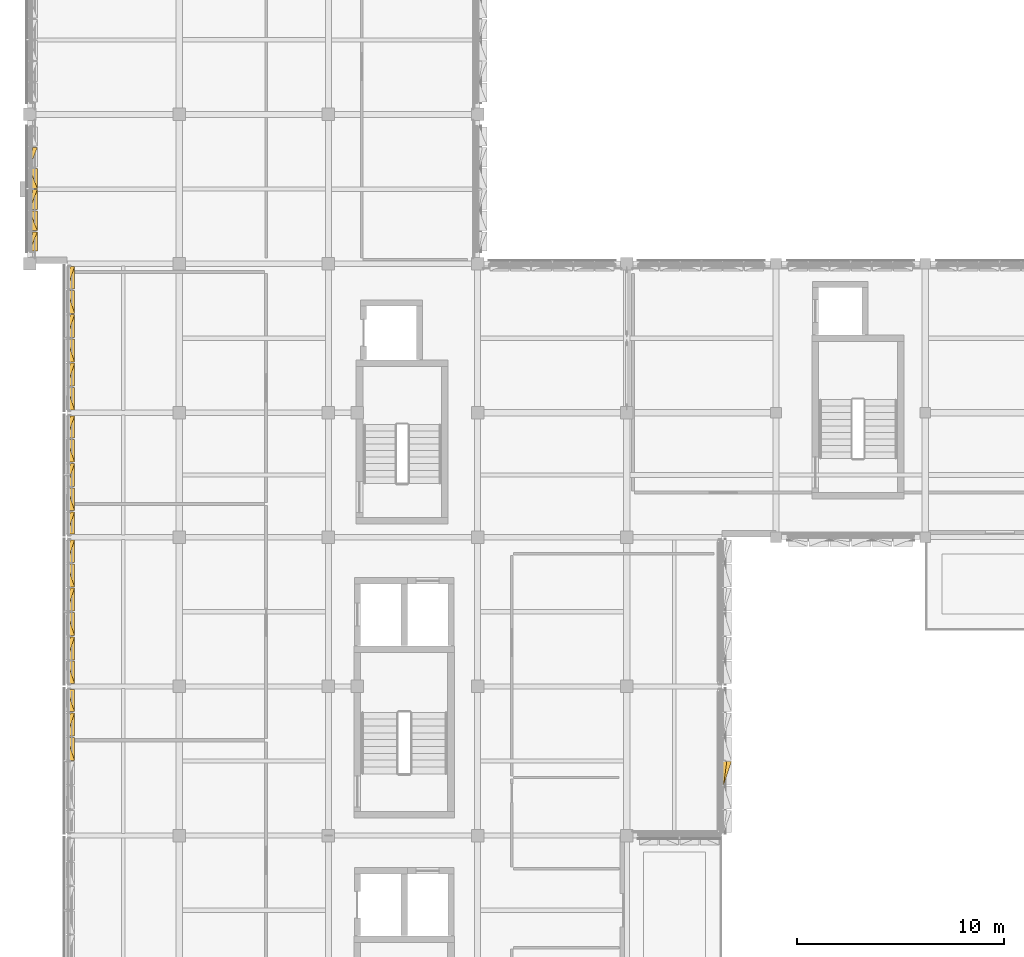
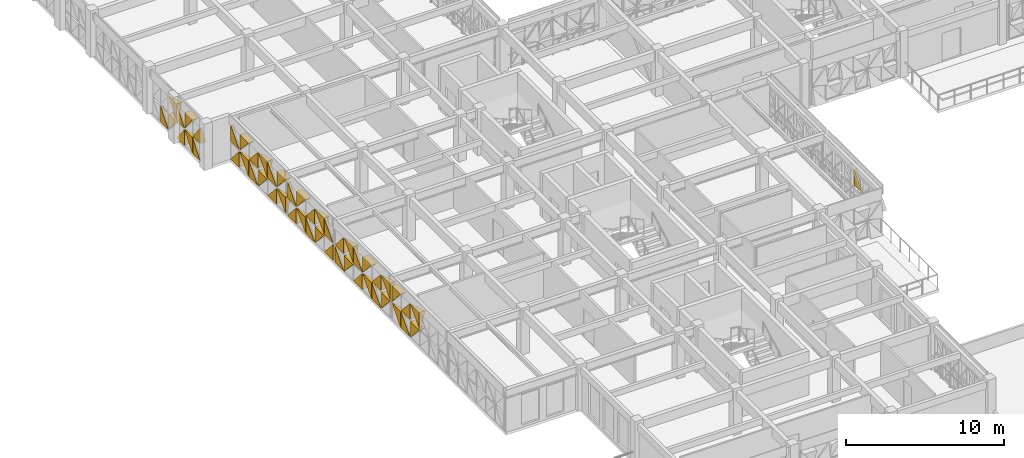
# One storey, part 66 of 74: 50 coverings.
"""IFC4 building model written with IfcOpenShell, lengths in metres."""

import ifcopenshell
import ifcopenshell.guid

model = None  # the IFC model being written
_history = None  # IfcOwnerHistory: only IFC2X3 demands one
_inside = {}  # id of a spatial element -> (the spatial element, [elements in it])
_under = {}  # id of a project, library or spatial element -> (it, [spatial elements below it])
_declared = {}  # id of a project -> (the project, [libraries it declares])
_typed = {}  # id of a type object -> (the type object, [elements of that type])
_made_of = {}  # id of a material, layer set ... -> (it, [elements and type objects made of it])


def new_model(schema):
    """Start an empty IFC model of exactly this schema.

    Asked for "IFC4X3", IfcOpenShell would pick the latest addendum, in which some entities
    have other attributes; the version numbers below select the first issue.
    IFC2X3 requires an IfcOwnerHistory on every rooted entity: one is made here for all.
    """
    global model, _history
    if schema == "IFC4X3":
        model = ifcopenshell.file(schema_version=(4, 3, 0, 0))
    else:
        model = ifcopenshell.file(schema=schema)
    _inside.clear()
    _under.clear()
    _declared.clear()
    _typed.clear()
    _made_of.clear()
    _history = None
    if model.schema == "IFC2X3":
        org = make("IfcOrganization", Name="unknown")
        user = make(
            "IfcPersonAndOrganization",
            ThePerson=make("IfcPerson", FamilyName="unknown"),
            TheOrganization=org,
        )
        app = make(
            "IfcApplication",
            ApplicationDeveloper=org,
            Version="unknown",
            ApplicationFullName="unknown",
            ApplicationIdentifier="unknown",
        )
        _history = make(
            "IfcOwnerHistory",
            OwningUser=user,
            OwningApplication=app,
            ChangeAction="ADDED",
            CreationDate=0,
        )
    return model


def make(cls, **values):
    """One entity of the class cls with the attributes given. An attribute that is None is left unset."""
    return model.create_entity(
        cls, **{name: value for name, value in values.items() if value is not None}
    )


def rooted(cls, **values):
    """An entity with a GlobalId (a new one), such as an element, a storey or a relation."""
    return make(cls, GlobalId=ifcopenshell.guid.new(), OwnerHistory=_history, **values)


def si_unit(unit_type, name, prefix=None):
    """IfcSIUnit, for example si_unit("LENGTHUNIT", "METRE", prefix="MILLI")."""
    return make("IfcSIUnit", UnitType=unit_type, Prefix=prefix, Name=name)


def assignment(units):
    """IfcUnitAssignment: the units of a project."""
    return None if units is None else make("IfcUnitAssignment", Units=units)


def point(xyz):
    """IfcCartesianPoint."""
    return None if xyz is None else make("IfcCartesianPoint", Coordinates=xyz)


def direction(xyz):
    """IfcDirection."""
    return None if xyz is None else make("IfcDirection", DirectionRatios=xyz)


def frame(location, z_axis=None, x_axis=None):
    """IfcAxis2Placement3D, a coordinate frame: its origin and axes. An axis left out is left unset."""
    return make(
        "IfcAxis2Placement3D",
        Location=point(location),
        Axis=direction(z_axis),
        RefDirection=direction(x_axis),
    )


def origin():
    """The frame at (0, 0, 0) with its axes left unset."""
    return frame((0.0, 0.0, 0.0))


def place(relative_to, where):
    """IfcLocalPlacement: puts the frame where relative to a parent placement (None: the world)."""
    return make(
        "IfcLocalPlacement", PlacementRelTo=relative_to, RelativePlacement=where
    )


def context(
    kind, dimensions, precision=None, world=None, true_north=None, identifier=None
):
    """IfcGeometricRepresentationContext, for example the 3D "Model" context."""
    return make(
        "IfcGeometricRepresentationContext",
        ContextIdentifier=identifier,
        ContextType=kind,
        CoordinateSpaceDimension=dimensions,
        Precision=precision,
        WorldCoordinateSystem=world,
        TrueNorth=true_north,
    )


def subcontext(parent, identifier, kind, view, scale=None):
    """IfcGeometricRepresentationSubContext, for example "Body" below "Model"."""
    return make(
        "IfcGeometricRepresentationSubContext",
        ContextIdentifier=identifier,
        ContextType=kind,
        ParentContext=parent,
        TargetScale=scale,
        TargetView=view,
    )


def project(units=None, contexts=None):
    """IfcProject with its units and contexts."""
    return rooted(
        "IfcProject",
        Name="project",
        RepresentationContexts=contexts,
        UnitsInContext=assignment(units),
    )


def spatial(cls, under=None, at=None, **own):
    """A site, building, storey or space (cls), placed at a placement, below another one or the project."""
    s = rooted(cls, ObjectPlacement=at, **own)
    if under is not None:
        _under.setdefault(under.id(), (under, []))[1].append(s)
    return s


def point_list(points):
    """IfcCartesianPointList2D or 3D."""
    cls = (
        "IfcCartesianPointList2D" if len(points[0]) == 2 else "IfcCartesianPointList3D"
    )
    return make(cls, CoordList=points)


def polygons(points, faces, closed=None, point_numbers=None):
    """IfcPolygonalFaceSet: a face is its outer loop, then its inner loops; points numbered from 1."""
    made = []
    for loops in faces:
        if len(loops) == 1:
            made.append(make("IfcIndexedPolygonalFace", CoordIndex=loops[0]))
        else:
            made.append(
                make(
                    "IfcIndexedPolygonalFaceWithVoids",
                    CoordIndex=loops[0],
                    InnerCoordIndices=loops[1:],
                )
            )
    return make(
        "IfcPolygonalFaceSet",
        Coordinates=point_list(points),
        Closed=closed,
        Faces=made,
        PnIndex=point_numbers,
    )


def shape(context_of_items, identifier, shape_type, items):
    """IfcShapeRepresentation: the items that make up one representation, for example the "Body"."""
    return make(
        "IfcShapeRepresentation",
        ContextOfItems=context_of_items,
        RepresentationIdentifier=identifier,
        RepresentationType=shape_type,
        Items=items,
    )


def material(Name=None, Category=None):
    """IfcMaterial."""
    return make("IfcMaterial", Name=Name, Category=Category)


def layer(
    of_material, thickness, ventilated=None, Name=None, Category=None, Priority=None
):
    """IfcMaterialLayer: one layer of a wall or slab, of a material (None: an air gap)."""
    return make(
        "IfcMaterialLayer",
        Material=of_material,
        LayerThickness=thickness,
        IsVentilated=ventilated,
        Name=Name,
        Category=Category,
        Priority=Priority,
    )


def layer_set(layers, Name=None):
    """IfcMaterialLayerSet."""
    return make("IfcMaterialLayerSet", MaterialLayers=layers, LayerSetName=Name)


def made_of(thing, what):
    """Note that an element or type object is made of a material, layer set ...; save() writes the relation."""
    if what is not None:
        _made_of.setdefault(what.id(), (what, []))[1].append(thing)
    return thing


def type_object(cls, material=None, **own):
    """A type object (cls), such as IfcWallType, which elements share."""
    return made_of(rooted(cls, **own), material)


def element(
    cls,
    number,
    at=None,
    inside=None,
    cuts=None,
    type_object=None,
    material=None,
    context=None,
    identifier="Body",
    shape_type=None,
    held_by="IfcProductDefinitionShape",
    body=None,
    shapes=None,
    **own,
):
    """One element of the class cls, such as IfcWall. Its Tag is "e" and its number.

    at: its placement. inside: the storey or other place that contains it. cuts: it is an
    opening in that element (IfcRelVoidsElement). A single representation is given by context,
    identifier, shape_type and body (its items); several are given by shapes. held_by: the class
    of the entity that holds the representations. save() writes the other relations.
    """
    e = rooted(cls, Tag="e%d" % number, ObjectPlacement=at, **own)
    if body is not None:
        shapes = [shape(context, identifier, shape_type, body)]
    if shapes is not None:
        e.Representation = make(held_by, Representations=shapes)
    if inside is not None:
        _inside.setdefault(inside.id(), (inside, []))[1].append(e)
    if cuts is not None:
        rooted(
            "IfcRelVoidsElement", RelatingBuildingElement=cuts, RelatedOpeningElement=e
        )
    if type_object is not None:
        _typed.setdefault(type_object.id(), (type_object, []))[1].append(e)
    return made_of(e, material)


def aggregate(whole, parts):
    """IfcRelAggregates: a whole, such as a stair, and the parts it consists of."""
    return rooted("IfcRelAggregates", RelatingObject=whole, RelatedObjects=parts)


def save(model, path):
    """Write the relations noted so far, then the file.

    IfcRelAggregates (storeys below a building ...), IfcRelContainedInSpatialStructure (elements
    in a storey), IfcRelDefinesByType, IfcRelAssociatesMaterial and IfcRelDeclares: one each for
    every whole, place, type object, material and project.
    """
    for whole, parts in _under.values():
        aggregate(whole, parts)
    for where, things in _inside.values():
        rooted(
            "IfcRelContainedInSpatialStructure",
            RelatedElements=things,
            RelatingStructure=where,
        )
    for kind, things in _typed.values():
        rooted("IfcRelDefinesByType", RelatedObjects=things, RelatingType=kind)
    for what, things in _made_of.values():
        rooted("IfcRelAssociatesMaterial", RelatedObjects=things, RelatingMaterial=what)
    for by, libraries in _declared.values():
        rooted("IfcRelDeclares", RelatingContext=by, RelatedDefinitions=libraries)
    model.write(path)


model = new_model("IFC4")

# Units and contexts
model_context = context("Model", 3, precision=1e-05, world=origin(), true_north=direction((0.0, 1.0)))
body_context = subcontext(model_context, "Body", "Model", "MODEL_VIEW")
ifc_project = project(units=[si_unit("LENGTHUNIT", "METRE"), si_unit("AREAUNIT", "SQUARE_METRE"), si_unit("VOLUMEUNIT", "CUBIC_METRE"), si_unit("PLANEANGLEUNIT", "RADIAN"), si_unit("MASSUNIT", "GRAM", prefix="KILO")], contexts=[model_context])

# Site, building, storey
site_placement = place(None, origin())
site = spatial("IfcSite", under=ifc_project, at=site_placement, CompositionType="ELEMENT")
building_placement = place(site_placement, origin())
building = spatial("IfcBuilding", under=site, at=building_placement, Name="Alvorim Cloister Faculty of Sciences", CompositionType="ELEMENT")
storey_placement = place(building_placement, frame((0.0, 0.0, 15.75)))
storey = spatial("IfcBuildingStorey", under=building, at=storey_placement, Name="L04", CompositionType="ELEMENT", Elevation=15.75)

# Coverings
ifc_material = material(Name="Perforated Bronze Alloy Sheet", Category="metal")
ifc_layer = layer(ifc_material, 0.0380859375)
ifc_layer_set = layer_set([ifc_layer], Name="Perforated Bronze Alloy Sheet")
covering_type = type_object("IfcCoveringType", Name="COV-TRI-BRZ", PredefinedType="CLADDING", material=ifc_layer_set)
covering_1_placement = place(storey_placement, frame((1.7548828125, 32.4326171875, 0.139892578125), z_axis=(0.0, 0.0, 1.0), x_axis=(0.0, 1.0, 0.0)))
element("IfcCovering", 1, at=covering_1_placement, inside=storey, type_object=covering_type, Name="Diagonal Solid Metal Triangle TRI-TR", PredefinedType="CLADDING", context=body_context, shape_type="Tessellation", body=[
    polygons([(1.1083984375, 0.0260009765625, 0.002), (1.1083984375, 0.0260009765625, 1.218505859375), (0.002, 0.0260009765625, 1.218505859375), (1.1083984375, -0.03, 0.002), (1.1083984375, -0.4, 1.218505859375), (0.002, -0.4, 1.218505859375)], [[[1, 3, 2]], [[4, 5, 6]], [[1, 2, 5, 4]], [[2, 3, 6, 5]], [[3, 1, 4, 6]]], closed=True),
])
covering_2_placement = place(storey_placement, frame((1.7548828125, 32.4326171875, 1.49853515625), z_axis=(0.0, 0.0, 1.0), x_axis=(0.0, 1.0, 0.0)))
element("IfcCovering", 2, at=covering_2_placement, inside=storey, type_object=covering_type, Name="Diagonal Solid Metal Triangle TRI-TL", PredefinedType="CLADDING", context=body_context, shape_type="Tessellation", body=[
    polygons([(1.1063984375, 0.0260009765625, 1.218505859375), (0.0, 0.0260009765625, 1.218505859375), (0.0, 0.0260009765625, 0.002), (1.1063984375, -0.03, 1.218505859375), (0.0, -0.4, 1.218505859375), (0.0, -0.13999999999999999, 0.002)], [[[1, 3, 2]], [[4, 5, 6]], [[1, 2, 5, 4]], [[2, 3, 6, 5]], [[3, 1, 4, 6]]], closed=True),
])
covering_3_placement = place(storey_placement, frame((1.7548828125, 33.605712890625, 0.139892578125), z_axis=(0.0, 0.0, 1.0), x_axis=(0.0, 1.0, 0.0)))
element("IfcCovering", 3, at=covering_3_placement, inside=storey, type_object=covering_type, Name="Diagonal Solid Metal Triangle TRI-BR", PredefinedType="CLADDING", context=body_context, shape_type="Tessellation", body=[
    polygons([(0.002, 0.0260009765625, 0.0), (1.1083984375, 0.0260009765625, 0.0), (1.1083984375, 0.0260009765625, 1.216505859375), (0.002, -0.03, 0.0), (1.1083984375, -0.4, 0.0), (1.1083984375, -0.18000000000000002, 1.216505859375)], [[[1, 3, 2]], [[4, 5, 6]], [[1, 2, 5, 4]], [[2, 3, 6, 5]], [[3, 1, 4, 6]]], closed=True),
])
covering_4_placement = place(storey_placement, frame((1.7548828125, 33.605712890625, 1.49853515625), z_axis=(0.0, 0.0, 1.0), x_axis=(0.0, 1.0, 0.0)))
element("IfcCovering", 4, at=covering_4_placement, inside=storey, type_object=covering_type, Name="Diagonal Solid Metal Triangle TRI-BL", PredefinedType="CLADDING", context=body_context, shape_type="Tessellation", body=[
    polygons([(0.0, 0.0260009765625, 0.0), (1.1063984375, 0.0260009765625, 0.0), (0.0, 0.0260009765625, 1.216505859375), (0.0, -0.4, 0.0), (1.1063984375, -0.4, 0.0), (0.0, -0.03, 1.216505859375)], [[[1, 3, 2]], [[4, 5, 6]], [[1, 2, 5, 4]], [[2, 3, 6, 5]], [[3, 1, 4, 6]]], closed=True),
])
covering_5_placement = place(storey_placement, frame((1.7548828125, 34.779052734375, 0.139892578125), z_axis=(0.0, 0.0, 1.0), x_axis=(0.0, 1.0, 0.0)))
element("IfcCovering", 5, at=covering_5_placement, inside=storey, type_object=covering_type, Name="Diagonal Solid Metal Triangle TRI-TL", PredefinedType="CLADDING", context=body_context, shape_type="Tessellation", body=[
    polygons([(1.073927734375, 0.0260009765625, 1.218505859375), (0.0, 0.0260009765625, 1.218505859375), (0.0, 0.0260009765625, 0.002), (1.073927734375, -0.03, 1.218505859375), (0.0, -0.4, 1.218505859375), (0.0, -0.13999999999999999, 0.002)], [[[1, 3, 2]], [[4, 5, 6]], [[1, 2, 5, 4]], [[2, 3, 6, 5]], [[3, 1, 4, 6]]], closed=True),
])
for number, where, z_axis, x_axis, name in (
    (6, (1.7548828125, 34.779052734375, 1.49853515625), (0.0, 0.0, 1.0), (0.0, 1.0, 0.0), "Diagonal Solid Metal Triangle TRI-TR"),
    (7, (1.7548828125, 36.14501953125, 0.139892578125), (0.0, 0.0, 1.0), (0.0, 1.0, 0.0), "Diagonal Solid Metal Triangle TRI-TR"),
):
    element("IfcCovering", number, at=place(storey_placement, frame(where, z_axis=z_axis, x_axis=x_axis)), inside=storey, type_object=covering_type, Name=name, PredefinedType="CLADDING", context=body_context, shape_type="Tessellation", body=[
        polygons([(1.075927734375, 0.0260009765625, 0.002), (1.075927734375, 0.0260009765625, 1.218505859375), (0.002, 0.0260009765625, 1.218505859375), (1.075927734375, -0.03, 0.002), (1.075927734375, -0.4, 1.218505859375), (0.002, -0.4, 1.218505859375)], [[[1, 3, 2]], [[4, 5, 6]], [[1, 2, 5, 4]], [[2, 3, 6, 5]], [[3, 1, 4, 6]]], closed=True),
    ])
covering_6_placement = place(storey_placement, frame((1.7548828125, 36.14501953125, 1.49853515625), z_axis=(0.0, 0.0, 1.0), x_axis=(0.0, 1.0, 0.0)))
element("IfcCovering", 8, at=covering_6_placement, inside=storey, type_object=covering_type, Name="Diagonal Solid Metal Triangle TRI-TL", PredefinedType="CLADDING", context=body_context, shape_type="Tessellation", body=[
    polygons([(1.073927734375, 0.0260009765625, 1.218505859375), (0.0, 0.0260009765625, 1.218505859375), (0.0, 0.0260009765625, 0.002), (1.073927734375, -0.03, 1.218505859375), (0.0, -0.4, 1.218505859375), (0.0, -0.13999999999999999, 0.002)], [[[1, 3, 2]], [[4, 5, 6]], [[1, 2, 5, 4]], [[2, 3, 6, 5]], [[3, 1, 4, 6]]], closed=True),
])
covering_7_placement = place(storey_placement, frame((1.7548828125, 37.285888671875, 0.139892578125), z_axis=(0.0, 0.0, 1.0), x_axis=(0.0, 1.0, 0.0)))
element("IfcCovering", 9, at=covering_7_placement, inside=storey, type_object=covering_type, Name="Diagonal Solid Metal Triangle TRI-BR", PredefinedType="CLADDING", context=body_context, shape_type="Tessellation", body=[
    polygons([(0.002, 0.0260009765625, 0.0), (1.1083984375, 0.0260009765625, 0.0), (1.1083984375, 0.0260009765625, 1.216505859375), (0.002, -0.03, 0.0), (1.1083984375, -0.4, 0.0), (1.1083984375, -0.18000000000000002, 1.216505859375)], [[[1, 3, 2]], [[4, 5, 6]], [[1, 2, 5, 4]], [[2, 3, 6, 5]], [[3, 1, 4, 6]]], closed=True),
])
covering_8_placement = place(storey_placement, frame((1.7548828125, 37.285888671875, 1.49853515625), z_axis=(0.0, 0.0, 1.0), x_axis=(0.0, 1.0, 0.0)))
element("IfcCovering", 10, at=covering_8_placement, inside=storey, type_object=covering_type, Name="Diagonal Solid Metal Triangle TRI-BL", PredefinedType="CLADDING", context=body_context, shape_type="Tessellation", body=[
    polygons([(0.0, 0.0260009765625, 0.0), (1.1063984375, 0.0260009765625, 0.0), (0.0, 0.0260009765625, 1.216505859375), (0.0, -0.4, 0.0), (1.1063984375, -0.4, 0.0), (0.0, -0.03, 1.216505859375)], [[[1, 3, 2]], [[4, 5, 6]], [[1, 2, 5, 4]], [[2, 3, 6, 5]], [[3, 1, 4, 6]]], closed=True),
])
covering_9_placement = place(storey_placement, frame((1.7548828125, 38.459228515625, 0.139892578125), z_axis=(0.0, 0.0, 1.0), x_axis=(0.0, 1.0, 0.0)))
element("IfcCovering", 11, at=covering_9_placement, inside=storey, type_object=covering_type, Name="Diagonal Solid Metal Triangle TRI-TL", PredefinedType="CLADDING", context=body_context, shape_type="Tessellation", body=[
    polygons([(1.1063984375, 0.0260009765625, 1.218505859375), (0.0, 0.0260009765625, 1.218505859375), (0.0, 0.0260009765625, 0.002), (1.1063984375, -0.03, 1.218505859375), (0.0, -0.4, 1.218505859375), (0.0, -0.13999999999999999, 0.002)], [[[1, 3, 2]], [[4, 5, 6]], [[1, 2, 5, 4]], [[2, 3, 6, 5]], [[3, 1, 4, 6]]], closed=True),
])
covering_10_placement = place(storey_placement, frame((1.7548828125, 38.459228515625, 1.49853515625), z_axis=(0.0, 0.0, 1.0), x_axis=(0.0, 1.0, 0.0)))
element("IfcCovering", 12, at=covering_10_placement, inside=storey, type_object=covering_type, Name="Diagonal Solid Metal Triangle TRI-TR", PredefinedType="CLADDING", context=body_context, shape_type="Tessellation", body=[
    polygons([(1.1083984375, 0.0260009765625, 0.002), (1.1083984375, 0.0260009765625, 1.218505859375), (0.002, 0.0260009765625, 1.218505859375), (1.1083984375, -0.03, 0.002), (1.1083984375, -0.4, 1.218505859375), (0.002, -0.4, 1.218505859375)], [[[1, 3, 2]], [[4, 5, 6]], [[1, 2, 5, 4]], [[2, 3, 6, 5]], [[3, 1, 4, 6]]], closed=True),
])
covering_11_placement = place(storey_placement, frame((1.7548828125, 39.632568359375, 0.139892578125), z_axis=(0.0, 0.0, 1.0), x_axis=(0.0, 1.0, 0.0)))
element("IfcCovering", 13, at=covering_11_placement, inside=storey, type_object=covering_type, Name="Diagonal Solid Metal Triangle TRI-BL", PredefinedType="CLADDING", context=body_context, shape_type="Tessellation", body=[
    polygons([(0.0, 0.0260009765625, 0.0), (1.1063984375, 0.0260009765625, 0.0), (0.0, 0.0260009765625, 1.216505859375), (0.0, -0.4, 0.0), (1.1063984375, -0.4, 0.0), (0.0, -0.03, 1.216505859375)], [[[1, 3, 2]], [[4, 5, 6]], [[1, 2, 5, 4]], [[2, 3, 6, 5]], [[3, 1, 4, 6]]], closed=True),
])
covering_12_placement = place(storey_placement, frame((1.7548828125, 39.632568359375, 1.49853515625), z_axis=(0.0, 0.0, 1.0), x_axis=(0.0, 1.0, 0.0)))
element("IfcCovering", 14, at=covering_12_placement, inside=storey, type_object=covering_type, Name="Diagonal Solid Metal Triangle TRI-BR", PredefinedType="CLADDING", context=body_context, shape_type="Tessellation", body=[
    polygons([(0.002, 0.0260009765625, 0.0), (1.1083984375, 0.0260009765625, 0.0), (1.1083984375, 0.0260009765625, 1.216505859375), (0.002, -0.03, 0.0), (1.1083984375, -0.4, 0.0), (1.1083984375, -0.18000000000000002, 1.216505859375)], [[[1, 3, 2]], [[4, 5, 6]], [[1, 2, 5, 4]], [[2, 3, 6, 5]], [[3, 1, 4, 6]]], closed=True),
])
covering_13_placement = place(storey_placement, frame((1.7548828125, 40.805908203125, 0.139892578125), z_axis=(0.0, 0.0, 1.0), x_axis=(0.0, 1.0, 0.0)))
element("IfcCovering", 15, at=covering_13_placement, inside=storey, type_object=covering_type, Name="Diagonal Solid Metal Triangle TRI-TR", PredefinedType="CLADDING", context=body_context, shape_type="Tessellation", body=[
    polygons([(1.1083984375, 0.0260009765625, 0.002), (1.1083984375, 0.0260009765625, 1.218505859375), (0.002, 0.0260009765625, 1.218505859375), (1.1083984375, -0.03, 0.002), (1.1083984375, -0.4, 1.218505859375), (0.002, -0.4, 1.218505859375)], [[[1, 3, 2]], [[4, 5, 6]], [[1, 2, 5, 4]], [[2, 3, 6, 5]], [[3, 1, 4, 6]]], closed=True),
])
covering_14_placement = place(storey_placement, frame((1.7548828125, 40.805908203125, 1.49853515625), z_axis=(0.0, 0.0, 1.0), x_axis=(0.0, 1.0, 0.0)))
element("IfcCovering", 16, at=covering_14_placement, inside=storey, type_object=covering_type, Name="Diagonal Solid Metal Triangle TRI-TL", PredefinedType="CLADDING", context=body_context, shape_type="Tessellation", body=[
    polygons([(1.1063984375, 0.0260009765625, 1.218505859375), (0.0, 0.0260009765625, 1.218505859375), (0.0, 0.0260009765625, 0.002), (1.1063984375, -0.03, 1.218505859375), (0.0, -0.4, 1.218505859375), (0.0, -0.13999999999999999, 0.002)], [[[1, 3, 2]], [[4, 5, 6]], [[1, 2, 5, 4]], [[2, 3, 6, 5]], [[3, 1, 4, 6]]], closed=True),
])
covering_15_placement = place(storey_placement, frame((1.7548828125, 41.979248046875, 0.139892578125), z_axis=(0.0, 0.0, 1.0), x_axis=(0.0, 1.0, 0.0)))
element("IfcCovering", 17, at=covering_15_placement, inside=storey, type_object=covering_type, Name="Diagonal Solid Metal Triangle TRI-BR", PredefinedType="CLADDING", context=body_context, shape_type="Tessellation", body=[
    polygons([(0.002, 0.0260009765625, 0.0), (1.075927734375, 0.0260009765625, 0.0), (1.075927734375, 0.0260009765625, 1.216505859375), (0.002, -0.03, 0.0), (1.075927734375, -0.4, 0.0), (1.075927734375, -0.18000000000000002, 1.216505859375)], [[[1, 3, 2]], [[4, 5, 6]], [[1, 2, 5, 4]], [[2, 3, 6, 5]], [[3, 1, 4, 6]]], closed=True),
])
covering_16_placement = place(storey_placement, frame((1.7548828125, 41.979248046875, 1.49853515625), z_axis=(0.0, 0.0, 1.0), x_axis=(0.0, 1.0, 0.0)))
element("IfcCovering", 18, at=covering_16_placement, inside=storey, type_object=covering_type, Name="Diagonal Solid Metal Triangle TRI-BL", PredefinedType="CLADDING", context=body_context, shape_type="Tessellation", body=[
    polygons([(0.0, 0.0260009765625, 0.0), (1.073927734375, 0.0260009765625, 0.0), (0.0, 0.0260009765625, 1.216505859375), (0.0, -0.4, 0.0), (1.073927734375, -0.4, 0.0), (0.0, -0.03, 1.216505859375)], [[[1, 3, 2]], [[4, 5, 6]], [[1, 2, 5, 4]], [[2, 3, 6, 5]], [[3, 1, 4, 6]]], closed=True),
])
covering_17_placement = place(storey_placement, frame((1.7548828125, 43.344970703125, 0.139892578125), z_axis=(0.0, 0.0, 1.0), x_axis=(0.0, 1.0, 0.0)))
element("IfcCovering", 19, at=covering_17_placement, inside=storey, type_object=covering_type, Name="Diagonal Solid Metal Triangle TRI-BL", PredefinedType="CLADDING", context=body_context, shape_type="Tessellation", body=[
    polygons([(0.0, 0.0260009765625, 0.0), (1.068556640625, 0.0260009765625, 0.0), (0.0, 0.0260009765625, 1.216505859375), (0.0, -0.4, 0.0), (1.068556640625, -0.4, 0.0), (0.0, -0.03, 1.216505859375)], [[[1, 3, 2]], [[4, 5, 6]], [[1, 2, 5, 4]], [[2, 3, 6, 5]], [[3, 1, 4, 6]]], closed=True),
])
covering_18_placement = place(storey_placement, frame((1.7548828125, 43.344970703125, 1.49853515625), z_axis=(0.0, 0.0, 1.0), x_axis=(0.0, 1.0, 0.0)))
element("IfcCovering", 20, at=covering_18_placement, inside=storey, type_object=covering_type, Name="Diagonal Solid Metal Triangle TRI-BR", PredefinedType="CLADDING", context=body_context, shape_type="Tessellation", body=[
    polygons([(0.002, 0.0260009765625, 0.0), (1.070556640625, 0.0260009765625, 0.0), (1.070556640625, 0.0260009765625, 1.216505859375), (0.002, -0.03, 0.0), (1.070556640625, -0.4, 0.0), (1.070556640625, -0.18000000000000002, 1.216505859375)], [[[1, 3, 2]], [[4, 5, 6]], [[1, 2, 5, 4]], [[2, 3, 6, 5]], [[3, 1, 4, 6]]], closed=True),
])
covering_19_placement = place(storey_placement, frame((1.7548828125, 44.48046875, 0.139892578125), z_axis=(0.0, 0.0, 1.0), x_axis=(0.0, 1.0, 0.0)))
element("IfcCovering", 21, at=covering_19_placement, inside=storey, type_object=covering_type, Name="Diagonal Solid Metal Triangle TRI-TR", PredefinedType="CLADDING", context=body_context, shape_type="Tessellation", body=[
    polygons([(1.10302734375, 0.0260009765625, 0.002), (1.10302734375, 0.0260009765625, 1.218505859375), (0.002, 0.0260009765625, 1.218505859375), (1.10302734375, -0.03, 0.002), (1.10302734375, -0.4, 1.218505859375), (0.002, -0.4, 1.218505859375)], [[[1, 3, 2]], [[4, 5, 6]], [[1, 2, 5, 4]], [[2, 3, 6, 5]], [[3, 1, 4, 6]]], closed=True),
])
covering_20_placement = place(storey_placement, frame((1.7548828125, 44.48046875, 1.49853515625), z_axis=(0.0, 0.0, 1.0), x_axis=(0.0, 1.0, 0.0)))
element("IfcCovering", 22, at=covering_20_placement, inside=storey, type_object=covering_type, Name="Diagonal Solid Metal Triangle TRI-TL", PredefinedType="CLADDING", context=body_context, shape_type="Tessellation", body=[
    polygons([(1.10102734375, 0.0260009765625, 1.218505859375), (0.0, 0.0260009765625, 1.218505859375), (0.0, 0.0260009765625, 0.002), (1.10102734375, -0.03, 1.218505859375), (0.0, -0.4, 1.218505859375), (0.0, -0.13999999999999999, 0.002)], [[[1, 3, 2]], [[4, 5, 6]], [[1, 2, 5, 4]], [[2, 3, 6, 5]], [[3, 1, 4, 6]]], closed=True),
])
covering_21_placement = place(storey_placement, frame((1.7548828125, 45.6484375, 0.139892578125), z_axis=(0.0, 0.0, 1.0), x_axis=(0.0, 1.0, 0.0)))
element("IfcCovering", 23, at=covering_21_placement, inside=storey, type_object=covering_type, Name="Diagonal Solid Metal Triangle TRI-BR", PredefinedType="CLADDING", context=body_context, shape_type="Tessellation", body=[
    polygons([(0.002, 0.0260009765625, 0.0), (1.10302734375, 0.0260009765625, 0.0), (1.10302734375, 0.0260009765625, 1.216505859375), (0.002, -0.03, 0.0), (1.10302734375, -0.4, 0.0), (1.10302734375, -0.18000000000000002, 1.216505859375)], [[[1, 3, 2]], [[4, 5, 6]], [[1, 2, 5, 4]], [[2, 3, 6, 5]], [[3, 1, 4, 6]]], closed=True),
])
covering_22_placement = place(storey_placement, frame((1.7548828125, 45.6484375, 1.49853515625), z_axis=(0.0, 0.0, 1.0), x_axis=(0.0, 1.0, 0.0)))
element("IfcCovering", 24, at=covering_22_placement, inside=storey, type_object=covering_type, Name="Diagonal Solid Metal Triangle TRI-BL", PredefinedType="CLADDING", context=body_context, shape_type="Tessellation", body=[
    polygons([(0.0, 0.0260009765625, 0.0), (1.10102734375, 0.0260009765625, 0.0), (0.0, 0.0260009765625, 1.216505859375), (0.0, -0.4, 0.0), (1.10102734375, -0.4, 0.0), (0.0, -0.03, 1.216505859375)], [[[1, 3, 2]], [[4, 5, 6]], [[1, 2, 5, 4]], [[2, 3, 6, 5]], [[3, 1, 4, 6]]], closed=True),
])
covering_23_placement = place(storey_placement, frame((1.7548828125, 46.81640625, 0.139892578125), z_axis=(0.0, 0.0, 1.0), x_axis=(0.0, 1.0, 0.0)))
element("IfcCovering", 25, at=covering_23_placement, inside=storey, type_object=covering_type, Name="Diagonal Solid Metal Triangle TRI-TL", PredefinedType="CLADDING", context=body_context, shape_type="Tessellation", body=[
    polygons([(1.10102734375, 0.0260009765625, 1.218505859375), (0.0, 0.0260009765625, 1.218505859375), (0.0, 0.0260009765625, 0.002), (1.10102734375, -0.03, 1.218505859375), (0.0, -0.4, 1.218505859375), (0.0, -0.13999999999999999, 0.002)], [[[1, 3, 2]], [[4, 5, 6]], [[1, 2, 5, 4]], [[2, 3, 6, 5]], [[3, 1, 4, 6]]], closed=True),
])
covering_24_placement = place(storey_placement, frame((1.7548828125, 46.81640625, 1.49853515625), z_axis=(0.0, 0.0, 1.0), x_axis=(0.0, 1.0, 0.0)))
element("IfcCovering", 26, at=covering_24_placement, inside=storey, type_object=covering_type, Name="Diagonal Solid Metal Triangle TRI-TR", PredefinedType="CLADDING", context=body_context, shape_type="Tessellation", body=[
    polygons([(1.10302734375, 0.0260009765625, 0.002), (1.10302734375, 0.0260009765625, 1.218505859375), (0.002, 0.0260009765625, 1.218505859375), (1.10302734375, -0.03, 0.002), (1.10302734375, -0.4, 1.218505859375), (0.002, -0.4, 1.218505859375)], [[[1, 3, 2]], [[4, 5, 6]], [[1, 2, 5, 4]], [[2, 3, 6, 5]], [[3, 1, 4, 6]]], closed=True),
])
covering_25_placement = place(storey_placement, frame((1.7548828125, 47.984619140625, 0.139892578125), z_axis=(0.0, 0.0, 1.0), x_axis=(0.0, 1.0, 0.0)))
element("IfcCovering", 27, at=covering_25_placement, inside=storey, type_object=covering_type, Name="Diagonal Solid Metal Triangle TRI-BL", PredefinedType="CLADDING", context=body_context, shape_type="Tessellation", body=[
    polygons([(0.0, 0.0260009765625, 0.0), (1.068556640625, 0.0260009765625, 0.0), (0.0, 0.0260009765625, 1.216505859375), (0.0, -0.4, 0.0), (1.068556640625, -0.4, 0.0), (0.0, -0.03, 1.216505859375)], [[[1, 3, 2]], [[4, 5, 6]], [[1, 2, 5, 4]], [[2, 3, 6, 5]], [[3, 1, 4, 6]]], closed=True),
])
covering_26_placement = place(storey_placement, frame((1.7548828125, 47.984619140625, 1.49853515625), z_axis=(0.0, 0.0, 1.0), x_axis=(0.0, 1.0, 0.0)))
element("IfcCovering", 28, at=covering_26_placement, inside=storey, type_object=covering_type, Name="Diagonal Solid Metal Triangle TRI-BR", PredefinedType="CLADDING", context=body_context, shape_type="Tessellation", body=[
    polygons([(0.002, 0.0260009765625, 0.0), (1.070556640625, 0.0260009765625, 0.0), (1.070556640625, 0.0260009765625, 1.216505859375), (0.002, -0.03, 0.0), (1.070556640625, -0.4, 0.0), (1.070556640625, -0.18000000000000002, 1.216505859375)], [[[1, 3, 2]], [[4, 5, 6]], [[1, 2, 5, 4]], [[2, 3, 6, 5]], [[3, 1, 4, 6]]], closed=True),
])
covering_27_placement = place(storey_placement, frame((1.7548828125, 49.344970703125, 0.139892578125), z_axis=(0.0, 0.0, 1.0), x_axis=(0.0, 1.0, 0.0)))
element("IfcCovering", 29, at=covering_27_placement, inside=storey, type_object=covering_type, Name="Diagonal Solid Metal Triangle TRI-TL", PredefinedType="CLADDING", context=body_context, shape_type="Tessellation", body=[
    polygons([(1.073927734375, 0.0260009765625, 1.218505859375), (0.0, 0.0260009765625, 1.218505859375), (0.0, 0.0260009765625, 0.002), (1.073927734375, -0.03, 1.218505859375), (0.0, -0.4, 1.218505859375), (0.0, -0.13999999999999999, 0.002)], [[[1, 3, 2]], [[4, 5, 6]], [[1, 2, 5, 4]], [[2, 3, 6, 5]], [[3, 1, 4, 6]]], closed=True),
])
covering_28_placement = place(storey_placement, frame((1.7548828125, 49.344970703125, 1.49853515625), z_axis=(0.0, 0.0, 1.0), x_axis=(0.0, 1.0, 0.0)))
element("IfcCovering", 30, at=covering_28_placement, inside=storey, type_object=covering_type, Name="Diagonal Solid Metal Triangle TRI-TR", PredefinedType="CLADDING", context=body_context, shape_type="Tessellation", body=[
    polygons([(1.075927734375, 0.0260009765625, 0.002), (1.075927734375, 0.0260009765625, 1.218505859375), (0.002, 0.0260009765625, 1.218505859375), (1.075927734375, -0.03, 0.002), (1.075927734375, -0.4, 1.218505859375), (0.002, -0.4, 1.218505859375)], [[[1, 3, 2]], [[4, 5, 6]], [[1, 2, 5, 4]], [[2, 3, 6, 5]], [[3, 1, 4, 6]]], closed=True),
])
covering_29_placement = place(storey_placement, frame((1.7548828125, 50.48583984375, 0.139892578125), z_axis=(0.0, 0.0, 1.0), x_axis=(0.0, 1.0, 0.0)))
element("IfcCovering", 31, at=covering_29_placement, inside=storey, type_object=covering_type, Name="Diagonal Solid Metal Triangle TRI-BL", PredefinedType="CLADDING", context=body_context, shape_type="Tessellation", body=[
    polygons([(0.0, 0.0260009765625, 0.0), (1.1063984375, 0.0260009765625, 0.0), (0.0, 0.0260009765625, 1.216505859375), (0.0, -0.4, 0.0), (1.1063984375, -0.4, 0.0), (0.0, -0.03, 1.216505859375)], [[[1, 3, 2]], [[4, 5, 6]], [[1, 2, 5, 4]], [[2, 3, 6, 5]], [[3, 1, 4, 6]]], closed=True),
])
covering_30_placement = place(storey_placement, frame((1.7548828125, 50.48583984375, 1.49853515625), z_axis=(0.0, 0.0, 1.0), x_axis=(0.0, 1.0, 0.0)))
element("IfcCovering", 32, at=covering_30_placement, inside=storey, type_object=covering_type, Name="Diagonal Solid Metal Triangle TRI-BR", PredefinedType="CLADDING", context=body_context, shape_type="Tessellation", body=[
    polygons([(0.002, 0.0260009765625, 0.0), (1.1083984375, 0.0260009765625, 0.0), (1.1083984375, 0.0260009765625, 1.216505859375), (0.002, -0.03, 0.0), (1.1083984375, -0.4, 0.0), (1.1083984375, -0.18000000000000002, 1.216505859375)], [[[1, 3, 2]], [[4, 5, 6]], [[1, 2, 5, 4]], [[2, 3, 6, 5]], [[3, 1, 4, 6]]], closed=True),
])
covering_31_placement = place(storey_placement, frame((1.7548828125, 51.6591796875, 0.139892578125), z_axis=(0.0, 0.0, 1.0), x_axis=(0.0, 1.0, 0.0)))
element("IfcCovering", 33, at=covering_31_placement, inside=storey, type_object=covering_type, Name="Diagonal Solid Metal Triangle TRI-TR", PredefinedType="CLADDING", context=body_context, shape_type="Tessellation", body=[
    polygons([(1.1083984375, 0.0260009765625, 0.002), (1.1083984375, 0.0260009765625, 1.218505859375), (0.002, 0.0260009765625, 1.218505859375), (1.1083984375, -0.03, 0.002), (1.1083984375, -0.4, 1.218505859375), (0.002, -0.4, 1.218505859375)], [[[1, 3, 2]], [[4, 5, 6]], [[1, 2, 5, 4]], [[2, 3, 6, 5]], [[3, 1, 4, 6]]], closed=True),
])
covering_32_placement = place(storey_placement, frame((1.7548828125, 51.6591796875, 1.49853515625), z_axis=(0.0, 0.0, 1.0), x_axis=(0.0, 1.0, 0.0)))
element("IfcCovering", 34, at=covering_32_placement, inside=storey, type_object=covering_type, Name="Diagonal Solid Metal Triangle TRI-TL", PredefinedType="CLADDING", context=body_context, shape_type="Tessellation", body=[
    polygons([(1.1063984375, 0.0260009765625, 1.218505859375), (0.0, 0.0260009765625, 1.218505859375), (0.0, 0.0260009765625, 0.002), (1.1063984375, -0.03, 1.218505859375), (0.0, -0.4, 1.218505859375), (0.0, -0.13999999999999999, 0.002)], [[[1, 3, 2]], [[4, 5, 6]], [[1, 2, 5, 4]], [[2, 3, 6, 5]], [[3, 1, 4, 6]]], closed=True),
])
covering_33_placement = place(storey_placement, frame((1.7548828125, 52.83251953125, 0.139892578125), z_axis=(0.0, 0.0, 1.0), x_axis=(0.0, 1.0, 0.0)))
element("IfcCovering", 35, at=covering_33_placement, inside=storey, type_object=covering_type, Name="Diagonal Solid Metal Triangle TRI-BR", PredefinedType="CLADDING", context=body_context, shape_type="Tessellation", body=[
    polygons([(0.002, 0.0260009765625, 0.0), (1.1083984375, 0.0260009765625, 0.0), (1.1083984375, 0.0260009765625, 1.216505859375), (0.002, -0.03, 0.0), (1.1083984375, -0.4, 0.0), (1.1083984375, -0.18000000000000002, 1.216505859375)], [[[1, 3, 2]], [[4, 5, 6]], [[1, 2, 5, 4]], [[2, 3, 6, 5]], [[3, 1, 4, 6]]], closed=True),
])
covering_34_placement = place(storey_placement, frame((1.7548828125, 52.83251953125, 1.49853515625), z_axis=(0.0, 0.0, 1.0), x_axis=(0.0, 1.0, 0.0)))
element("IfcCovering", 36, at=covering_34_placement, inside=storey, type_object=covering_type, Name="Diagonal Solid Metal Triangle TRI-BL", PredefinedType="CLADDING", context=body_context, shape_type="Tessellation", body=[
    polygons([(0.0, 0.0260009765625, 0.0), (1.1063984375, 0.0260009765625, 0.0), (0.0, 0.0260009765625, 1.216505859375), (0.0, -0.4, 0.0), (1.1063984375, -0.4, 0.0), (0.0, -0.03, 1.216505859375)], [[[1, 3, 2]], [[4, 5, 6]], [[1, 2, 5, 4]], [[2, 3, 6, 5]], [[3, 1, 4, 6]]], closed=True),
])
covering_35_placement = place(storey_placement, frame((1.7548828125, 54.005859375, 0.139892578125), z_axis=(0.0, 0.0, 1.0), x_axis=(0.0, 1.0, 0.0)))
element("IfcCovering", 37, at=covering_35_placement, inside=storey, type_object=covering_type, Name="Diagonal Solid Metal Triangle TRI-TL", PredefinedType="CLADDING", context=body_context, shape_type="Tessellation", body=[
    polygons([(1.1063984375, 0.0260009765625, 1.218505859375), (0.0, 0.0260009765625, 1.218505859375), (0.0, 0.0260009765625, 0.002), (1.1063984375, -0.03, 1.218505859375), (0.0, -0.4, 1.218505859375), (0.0, -0.13999999999999999, 0.002)], [[[1, 3, 2]], [[4, 5, 6]], [[1, 2, 5, 4]], [[2, 3, 6, 5]], [[3, 1, 4, 6]]], closed=True),
])
covering_36_placement = place(storey_placement, frame((1.7548828125, 54.005859375, 1.49853515625), z_axis=(0.0, 0.0, 1.0), x_axis=(0.0, 1.0, 0.0)))
element("IfcCovering", 38, at=covering_36_placement, inside=storey, type_object=covering_type, Name="Diagonal Solid Metal Triangle TRI-TR", PredefinedType="CLADDING", context=body_context, shape_type="Tessellation", body=[
    polygons([(1.1083984375, 0.0260009765625, 0.002), (1.1083984375, 0.0260009765625, 1.218505859375), (0.002, 0.0260009765625, 1.218505859375), (1.1083984375, -0.03, 0.002), (1.1083984375, -0.4, 1.218505859375), (0.002, -0.4, 1.218505859375)], [[[1, 3, 2]], [[4, 5, 6]], [[1, 2, 5, 4]], [[2, 3, 6, 5]], [[3, 1, 4, 6]]], closed=True),
])
covering_37_placement = place(storey_placement, frame((1.7548828125, 55.17919921875, 0.139892578125), z_axis=(0.0, 0.0, 1.0), x_axis=(0.0, 1.0, 0.0)))
element("IfcCovering", 39, at=covering_37_placement, inside=storey, type_object=covering_type, Name="Diagonal Solid Metal Triangle TRI-BL", PredefinedType="CLADDING", context=body_context, shape_type="Tessellation", body=[
    polygons([(0.0, 0.0260009765625, 0.0), (1.073927734375, 0.0260009765625, 0.0), (0.0, 0.0260009765625, 1.216505859375), (0.0, -0.4, 0.0), (1.073927734375, -0.4, 0.0), (0.0, -0.03, 1.216505859375)], [[[1, 3, 2]], [[4, 5, 6]], [[1, 2, 5, 4]], [[2, 3, 6, 5]], [[3, 1, 4, 6]]], closed=True),
])
covering_38_placement = place(storey_placement, frame((1.7548828125, 55.17919921875, 1.49853515625), z_axis=(0.0, 0.0, 1.0), x_axis=(0.0, 1.0, 0.0)))
element("IfcCovering", 40, at=covering_38_placement, inside=storey, type_object=covering_type, Name="Diagonal Solid Metal Triangle TRI-BR", PredefinedType="CLADDING", context=body_context, shape_type="Tessellation", body=[
    polygons([(0.002, 0.0260009765625, 0.0), (1.075927734375, 0.0260009765625, 0.0), (1.075927734375, 0.0260009765625, 1.216505859375), (0.002, -0.03, 0.0), (1.075927734375, -0.4, 0.0), (1.075927734375, -0.18000000000000002, 1.216505859375)], [[[1, 3, 2]], [[4, 5, 6]], [[1, 2, 5, 4]], [[2, 3, 6, 5]], [[3, 1, 4, 6]]], closed=True),
])
covering_39_placement = place(storey_placement, frame((-0.044921875, 57.0048828125, 0.139892578125), z_axis=(0.0, 0.0, 1.0), x_axis=(0.0, 1.0, 0.0)))
element("IfcCovering", 41, at=covering_39_placement, inside=storey, type_object=covering_type, Name="Diagonal Solid Metal Triangle TRI-BR", PredefinedType="CLADDING", context=body_context, shape_type="Tessellation", body=[
    polygons([(0.002, 0.0260009765625, 0.0), (0.922607421875, 0.0260009765625, 0.0), (0.922607421875, 0.0260009765625, 1.213087890625), (0.002, -0.03, 0.0), (0.922607421875, -0.4, 0.0), (0.922607421875, -0.18000000000000002, 1.213087890625)], [[[1, 3, 2]], [[4, 5, 6]], [[1, 2, 5, 4]], [[2, 3, 6, 5]], [[3, 1, 4, 6]]], closed=True),
])
covering_40_placement = place(storey_placement, frame((-0.044921875, 57.0048828125, 1.4951171875), z_axis=(0.0, 0.0, 1.0), x_axis=(0.0, 1.0, 0.0)))
element("IfcCovering", 42, at=covering_40_placement, inside=storey, type_object=covering_type, Name="Diagonal Solid Metal Triangle TRI-BL", PredefinedType="CLADDING", context=body_context, shape_type="Tessellation", body=[
    polygons([(0.0, 0.0260009765625, 0.0), (0.920607421875, 0.0260009765625, 0.0), (0.0, 0.0260009765625, 1.21284375), (0.0, -0.4, 0.0), (0.920607421875, -0.4, 0.0), (0.0, -0.03, 1.21284375)], [[[1, 3, 2]], [[4, 5, 6]], [[1, 2, 5, 4]], [[2, 3, 6, 5]], [[3, 1, 4, 6]]], closed=True),
])
covering_41_placement = place(storey_placement, frame((-0.044921875, 57.992431640625, 0.139892578125), z_axis=(0.0, 0.0, 1.0), x_axis=(0.0, 1.0, 0.0)))
element("IfcCovering", 43, at=covering_41_placement, inside=storey, type_object=covering_type, Name="Diagonal Solid Metal Triangle TRI-TL", PredefinedType="CLADDING", context=body_context, shape_type="Tessellation", body=[
    polygons([(0.953078125, 0.0260009765625, 1.215087890625), (0.0, 0.0260009765625, 1.215087890625), (0.0, 0.0260009765625, 0.002), (0.953078125, -0.03, 1.215087890625), (0.0, -0.4, 1.215087890625), (0.0, -0.13999999999999999, 0.002)], [[[1, 3, 2]], [[4, 5, 6]], [[1, 2, 5, 4]], [[2, 3, 6, 5]], [[3, 1, 4, 6]]], closed=True),
])
covering_42_placement = place(storey_placement, frame((-0.044921875, 57.992431640625, 1.4951171875), z_axis=(0.0, 0.0, 1.0), x_axis=(0.0, 1.0, 0.0)))
element("IfcCovering", 44, at=covering_42_placement, inside=storey, type_object=covering_type, Name="Diagonal Solid Metal Triangle TRI-TR", PredefinedType="CLADDING", context=body_context, shape_type="Tessellation", body=[
    polygons([(0.955078125, 0.0260009765625, 0.002), (0.955078125, 0.0260009765625, 1.21484375), (0.002, 0.0260009765625, 1.21484375), (0.955078125, -0.03, 0.002), (0.955078125, -0.4, 1.21484375), (0.002, -0.4, 1.21484375)], [[[1, 3, 2]], [[4, 5, 6]], [[1, 2, 5, 4]], [[2, 3, 6, 5]], [[3, 1, 4, 6]]], closed=True),
])
covering_43_placement = place(storey_placement, frame((-0.044921875, 59.012451171875, 0.139892578125), z_axis=(0.0, 0.0, 1.0), x_axis=(0.0, 1.0, 0.0)))
element("IfcCovering", 45, at=covering_43_placement, inside=storey, type_object=covering_type, Name="Diagonal Solid Metal Triangle TRI-BL", PredefinedType="CLADDING", context=body_context, shape_type="Tessellation", body=[
    polygons([(0.0, 0.0260009765625, 0.0), (0.953078125, 0.0260009765625, 0.0), (0.0, 0.0260009765625, 1.213087890625), (0.0, -0.4, 0.0), (0.953078125, -0.4, 0.0), (0.0, -0.03, 1.213087890625)], [[[1, 3, 2]], [[4, 5, 6]], [[1, 2, 5, 4]], [[2, 3, 6, 5]], [[3, 1, 4, 6]]], closed=True),
])
covering_44_placement = place(storey_placement, frame((-0.044921875, 59.012451171875, 1.4951171875), z_axis=(0.0, 0.0, 1.0), x_axis=(0.0, 1.0, 0.0)))
element("IfcCovering", 46, at=covering_44_placement, inside=storey, type_object=covering_type, Name="Diagonal Solid Metal Triangle TRI-BR", PredefinedType="CLADDING", context=body_context, shape_type="Tessellation", body=[
    polygons([(0.002, 0.0260009765625, 0.0), (0.955078125, 0.0260009765625, 0.0), (0.955078125, 0.0260009765625, 1.21284375), (0.002, -0.03, 0.0), (0.955078125, -0.4, 0.0), (0.955078125, -0.18000000000000002, 1.21284375)], [[[1, 3, 2]], [[4, 5, 6]], [[1, 2, 5, 4]], [[2, 3, 6, 5]], [[3, 1, 4, 6]]], closed=True),
])
covering_45_placement = place(storey_placement, frame((-0.044921875, 60.032470703125, 0.139892578125), z_axis=(0.0, 0.0, 1.0), x_axis=(0.0, 1.0, 0.0)))
element("IfcCovering", 47, at=covering_45_placement, inside=storey, type_object=covering_type, Name="Diagonal Solid Metal Triangle TRI-TR", PredefinedType="CLADDING", context=body_context, shape_type="Tessellation", body=[
    polygons([(0.955078125, 0.0260009765625, 0.002), (0.955078125, 0.0260009765625, 1.215087890625), (0.002, 0.0260009765625, 1.215087890625), (0.955078125, -0.03, 0.002), (0.955078125, -0.4, 1.215087890625), (0.002, -0.4, 1.215087890625)], [[[1, 3, 2]], [[4, 5, 6]], [[1, 2, 5, 4]], [[2, 3, 6, 5]], [[3, 1, 4, 6]]], closed=True),
])
covering_46_placement = place(storey_placement, frame((-0.044921875, 60.032470703125, 1.4951171875), z_axis=(0.0, 0.0, 1.0), x_axis=(0.0, 1.0, 0.0)))
element("IfcCovering", 48, at=covering_46_placement, inside=storey, type_object=covering_type, Name="Diagonal Solid Metal Triangle TRI-TL", PredefinedType="CLADDING", context=body_context, shape_type="Tessellation", body=[
    polygons([(0.953078125, 0.0260009765625, 1.21484375), (0.0, 0.0260009765625, 1.21484375), (0.0, 0.0260009765625, 0.002), (0.953078125, -0.03, 1.21484375), (0.0, -0.4, 1.21484375), (0.0, -0.13999999999999999, 0.002)], [[[1, 3, 2]], [[4, 5, 6]], [[1, 2, 5, 4]], [[2, 3, 6, 5]], [[3, 1, 4, 6]]], closed=True),
])
covering_47_placement = place(storey_placement, frame((-0.044921875, 61.052490234375, 0.139892578125), z_axis=(0.0, 0.0, 1.0), x_axis=(0.0, 1.0, 0.0)))
element("IfcCovering", 49, at=covering_47_placement, inside=storey, type_object=covering_type, Name="Diagonal Solid Metal Triangle TRI-BR", PredefinedType="CLADDING", context=body_context, shape_type="Tessellation", body=[
    polygons([(0.002, 0.0260009765625, 0.0), (0.955078125, 0.0260009765625, 0.0), (0.955078125, 0.0260009765625, 1.213087890625), (0.002, -0.03, 0.0), (0.955078125, -0.4, 0.0), (0.955078125, -0.18000000000000002, 1.213087890625)], [[[1, 3, 2]], [[4, 5, 6]], [[1, 2, 5, 4]], [[2, 3, 6, 5]], [[3, 1, 4, 6]]], closed=True),
])
covering_48_placement = place(storey_placement, frame((33.445068359375, 31.25927734375, 1.49853515625), z_axis=(0.0, 0.0, 1.0), x_axis=(0.0, 1.0, 0.0)))
element("IfcCovering", 50, at=covering_48_placement, inside=storey, type_object=covering_type, Name="Diagonal Solid Metal Triangle TRI-BR", PredefinedType="CLADDING", context=body_context, shape_type="Tessellation", body=[
    polygons([(0.002, 0.0260009765625, 0.0), (1.1083984375, 0.0260009765625, 0.0), (1.1083984375, 0.0260009765625, 1.216505859375), (0.002, -0.03, 0.0), (1.1083984375, -0.4, 0.0), (1.1083984375, -0.18000000000000002, 1.216505859375)], [[[1, 3, 2]], [[4, 5, 6]], [[1, 2, 5, 4]], [[2, 3, 6, 5]], [[3, 1, 4, 6]]], closed=True),
])

save(model, "model.ifc")
